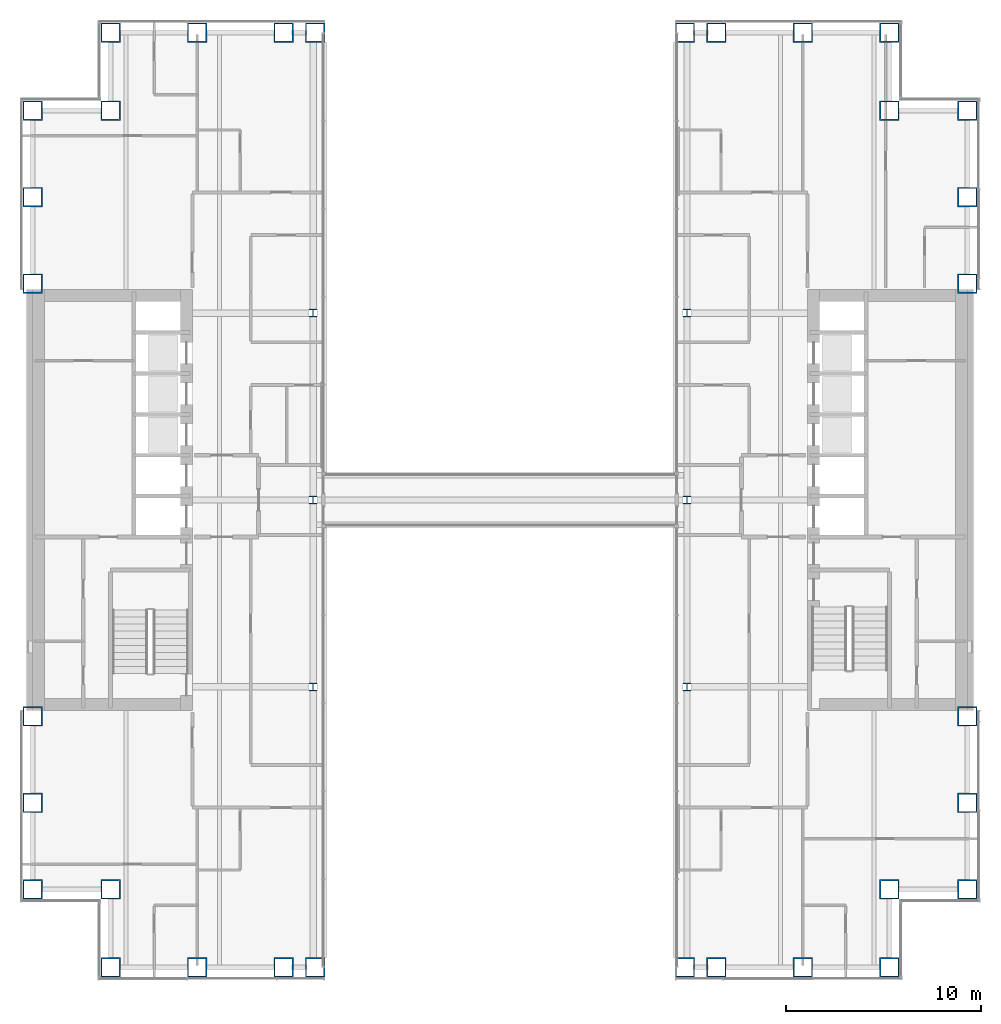
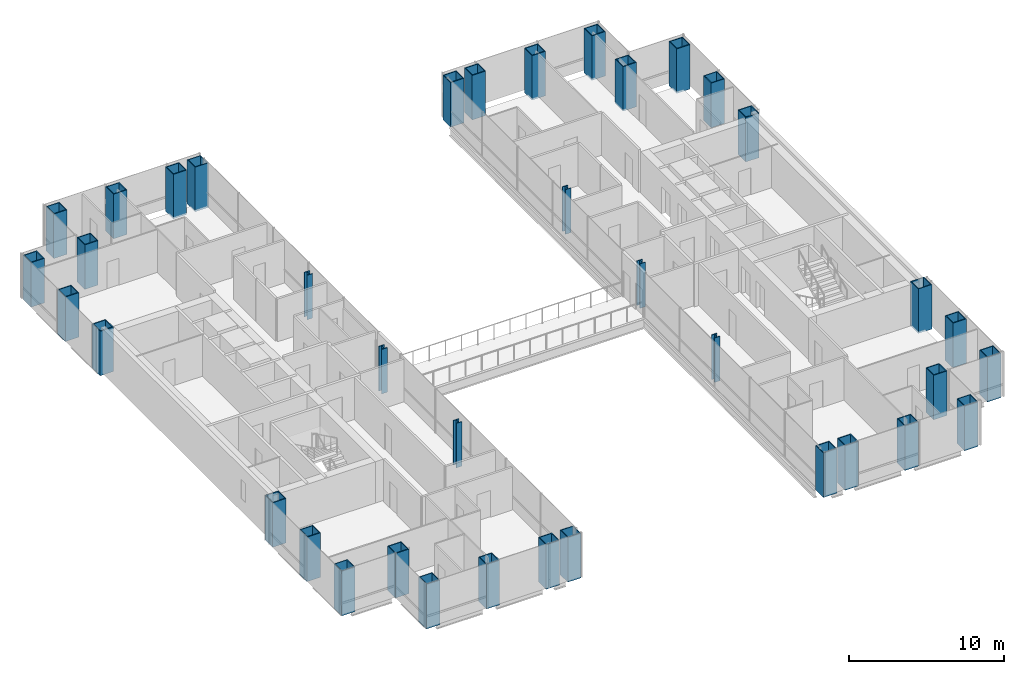
# One storey, part 1 of 18: 38 columns.
"""IFC4 building model written with IfcOpenShell, lengths in metres."""

from ifc_helpers import new_model, si_unit, direction, frame, origin, origin_2d, place, context, subcontext, project, spatial, hollow_rectangle, i_section, extrude, material, material_profile, profile_set, type_object, element, save


model = new_model("IFC4")

# Units and contexts
model_context = context("Model", 3, precision=1e-05, world=origin(), true_north=direction((0.0, 1.0)))
body_context = subcontext(model_context, "Body", "Model", "MODEL_VIEW")
ifc_project = project(units=[si_unit("LENGTHUNIT", "METRE"), si_unit("AREAUNIT", "SQUARE_METRE"), si_unit("VOLUMEUNIT", "CUBIC_METRE"), si_unit("PLANEANGLEUNIT", "RADIAN"), si_unit("MASSUNIT", "GRAM", prefix="KILO")], contexts=[model_context])

# Site, building, storey
site_placement = place(None, origin())
site = spatial("IfcSite", under=ifc_project, at=site_placement, CompositionType="ELEMENT")
building_placement = place(site_placement, origin())
building = spatial("IfcBuilding", under=site, at=building_placement, Name="Cobrizo Arcos Hotel Tower", CompositionType="ELEMENT")
storey_placement = place(building_placement, frame((0.0, 0.0, 77.5)))
storey = spatial("IfcBuildingStorey", under=building, at=storey_placement, Name="L18", CompositionType="ELEMENT", Elevation=77.5)

# Columns
ifc_material_1 = material(Name="Steel ASTM A572 Grade 50", Category="steel")
ifc_material_profile_1 = material_profile(ifc_material_1, hollow_rectangle(XDim=1.0, YDim=1.0, WallThickness=0.06005859375, at=origin_2d()), Name="BOX 1000X1000X60")
ifc_profile_set_1 = profile_set([ifc_material_profile_1], Name="Steel ASTM A572 Grade 50")
column_type_1 = type_object("IfcColumnType", Name="BOX 1000X1000X60 column", PredefinedType="COLUMN", material=ifc_profile_set_1)
for number, where, z_axis, x_axis, name in (
    (1, (-20.0, 24.0, -0.14990234375), (0.0, 0.0, 1.0), (1.0, 0.0, 0.0), "Perimeter column C4, L18, no. 00"),
    (2, (-20.0, -24.0, -0.14990234375), (0.0, 0.0, 1.0), (1.0, 0.0, 0.0), "Perimeter column C4, L18, no. 01"),
    (3, (-15.555908203125, 24.0, -0.14990234375), (0.0, 0.0, 1.0), (1.0, 0.0, 0.0), "Perimeter column C4, L18, no. 02"),
    (4, (-15.555908203125, -24.0, -0.14990234375), (0.0, 0.0, 1.0), (1.0, 0.0, 0.0), "Perimeter column C4, L18, no. 03"),
    (5, (-11.111083984375, 24.0, -0.14990234375), (0.0, 0.0, 1.0), (1.0, 0.0, 0.0), "Perimeter column C4, L18, no. 04"),
    (6, (-11.111083984375, -24.0, -0.14990234375), (0.0, 0.0, 1.0), (1.0, 0.0, 0.0), "Perimeter column C4, L18, no. 05"),
    (7, (11.111083984375, 24.0, -0.14990234375), (0.0, 0.0, 1.0), (1.0, 0.0, 0.0), "Perimeter column C4, L18, no. 06"),
    (8, (11.111083984375, -24.0, -0.14990234375), (0.0, 0.0, 1.0), (1.0, 0.0, 0.0), "Perimeter column C4, L18, no. 07"),
    (9, (15.555908203125, 24.0, -0.14990234375), (0.0, 0.0, 1.0), (1.0, 0.0, 0.0), "Perimeter column C4, L18, no. 08"),
    (10, (15.555908203125, -24.0, -0.14990234375), (0.0, 0.0, 1.0), (1.0, 0.0, 0.0), "Perimeter column C4, L18, no. 09"),
    (11, (20.0, 24.0, -0.14990234375), (0.0, 0.0, 1.0), (1.0, 0.0, 0.0), "Perimeter column C4, L18, no. 10"),
    (12, (20.0, -24.0, -0.14990234375), (0.0, 0.0, 1.0), (1.0, 0.0, 0.0), "Perimeter column C4, L18, no. 11"),
    (13, (24.0, -20.0, -0.14990234375), (0.0, 0.0, 1.0), (1.0, 0.0, 0.0), "Perimeter column C4, L18, no. 12"),
    (14, (-24.0, -20.0, -0.14990234375), (0.0, 0.0, 1.0), (1.0, 0.0, 0.0), "Perimeter column C4, L18, no. 13"),
    (15, (24.0, -15.555908203125, -0.14990234375), (0.0, 0.0, 1.0), (1.0, 0.0, 0.0), "Perimeter column C4, L18, no. 14"),
    (16, (-24.0, -15.555908203125, -0.14990234375), (0.0, 0.0, 1.0), (1.0, 0.0, 0.0), "Perimeter column C4, L18, no. 15"),
    (17, (24.0, -11.111083984375, -0.14990234375), (0.0, 0.0, 1.0), (1.0, 0.0, 0.0), "Perimeter column C4, L18, no. 16"),
    (18, (-24.0, -11.111083984375, -0.14990234375), (0.0, 0.0, 1.0), (1.0, 0.0, 0.0), "Perimeter column C4, L18, no. 17"),
    (19, (24.0, 11.111083984375, -0.14990234375), (0.0, 0.0, 1.0), (1.0, 0.0, 0.0), "Perimeter column C4, L18, no. 18"),
    (20, (-24.0, 11.111083984375, -0.14990234375), (0.0, 0.0, 1.0), (1.0, 0.0, 0.0), "Perimeter column C4, L18, no. 19"),
    (21, (24.0, 15.555908203125, -0.14990234375), (0.0, 0.0, 1.0), (1.0, 0.0, 0.0), "Perimeter column C4, L18, no. 20"),
    (22, (-24.0, 15.555908203125, -0.14990234375), (0.0, 0.0, 1.0), (1.0, 0.0, 0.0), "Perimeter column C4, L18, no. 21"),
    (23, (24.0, 20.0, -0.14990234375), (0.0, 0.0, 1.0), (1.0, 0.0, 0.0), "Perimeter column C4, L18, no. 22"),
    (24, (-24.0, 20.0, -0.14990234375), (0.0, 0.0, 1.0), (1.0, 0.0, 0.0), "Perimeter column C4, L18, no. 23"),
    (25, (-20.0, -20.0, -0.14990234375), (0.0, 0.0, 1.0), (1.0, 0.0, 0.0), "Perimeter column C4, L18, no. 24"),
    (26, (-20.0, 20.0, -0.14990234375), (0.0, 0.0, 1.0), (1.0, 0.0, 0.0), "Perimeter column C4, L18, no. 25"),
    (27, (20.0, -20.0, -0.14990234375), (0.0, 0.0, 1.0), (1.0, 0.0, 0.0), "Perimeter column C4, L18, no. 26"),
    (28, (20.0, 20.0, -0.14990234375), (0.0, 0.0, 1.0), (1.0, 0.0, 0.0), "Perimeter column C4, L18, no. 27"),
    (29, (-9.5, 24.0, -0.14990234375), (0.0, 0.0, 1.0), (1.0, 0.0, 0.0), "Perimeter column C4, L18, no. 28"),
    (30, (-9.5, -24.0, -0.14990234375), (0.0, 0.0, 1.0), (1.0, 0.0, 0.0), "Perimeter column C4, L18, no. 29"),
    (31, (9.5, 24.0, -0.14990234375), (0.0, 0.0, 1.0), (1.0, 0.0, 0.0), "Perimeter column C4, L18, no. 30"),
    (32, (9.5, -24.0, -0.14990234375), (0.0, 0.0, 1.0), (1.0, 0.0, 0.0), "Perimeter column C4, L18, no. 31"),
):
    element("IfcColumn", number, at=place(storey_placement, frame(where, z_axis=z_axis, x_axis=x_axis)), inside=storey, type_object=column_type_1, Name=name, PredefinedType="COLUMN", context=body_context, shape_type="SweptSolid", body=[
        extrude(hollow_rectangle(XDim=1.0, YDim=1.0, WallThickness=0.06005859375, at=origin_2d()), origin(), (0.0, 0.0, 1.0), 3.5),
    ])
ifc_material_2 = material(Name="Steel ASTM A992 Grade 50", Category="steel")
ifc_material_profile_2 = material_profile(ifc_material_2, i_section(OverallWidth=0.408935546875, OverallDepth=0.42431640625, WebThickness=0.03271484375, FlangeThickness=0.052490234375, at=origin_2d()), Name="W14X283")
ifc_profile_set_2 = profile_set([ifc_material_profile_2], Name="Steel ASTM A992 Grade 50")
column_type_2 = type_object("IfcColumnType", Name="W14X283 interior column", PredefinedType="COLUMN", material=ifc_profile_set_2)
for number, where, z_axis, x_axis, name in (
    (33, (-9.60009765625, -9.60009765625, -0.14990234375), (0.0, 0.0, 1.0), (1.0, 0.0, 0.0), "Interior column C5, L18, no. 00"),
    (34, (-9.60009765625, 0.0, -0.14990234375), (0.0, 0.0, 1.0), (1.0, 0.0, 0.0), "Interior column C5, L18, no. 01"),
    (35, (-9.60009765625, 9.60009765625, -0.14990234375), (0.0, 0.0, 1.0), (1.0, 0.0, 0.0), "Interior column C5, L18, no. 02"),
    (36, (9.60009765625, -9.60009765625, -0.14990234375), (0.0, 0.0, 1.0), (1.0, 0.0, 0.0), "Interior column C5, L18, no. 03"),
    (37, (9.60009765625, 0.0, -0.14990234375), (0.0, 0.0, 1.0), (1.0, 0.0, 0.0), "Interior column C5, L18, no. 04"),
    (38, (9.60009765625, 9.60009765625, -0.14990234375), (0.0, 0.0, 1.0), (1.0, 0.0, 0.0), "Interior column C5, L18, no. 05"),
):
    element("IfcColumn", number, at=place(storey_placement, frame(where, z_axis=z_axis, x_axis=x_axis)), inside=storey, type_object=column_type_2, Name=name, PredefinedType="COLUMN", context=body_context, shape_type="SweptSolid", body=[
        extrude(i_section(OverallWidth=0.408935546875, OverallDepth=0.42431640625, WebThickness=0.03271484375, FlangeThickness=0.052490234375, at=origin_2d()), origin(), (0.0, 0.0, 1.0), 3.5),
    ])

save(model, "model.ifc")
